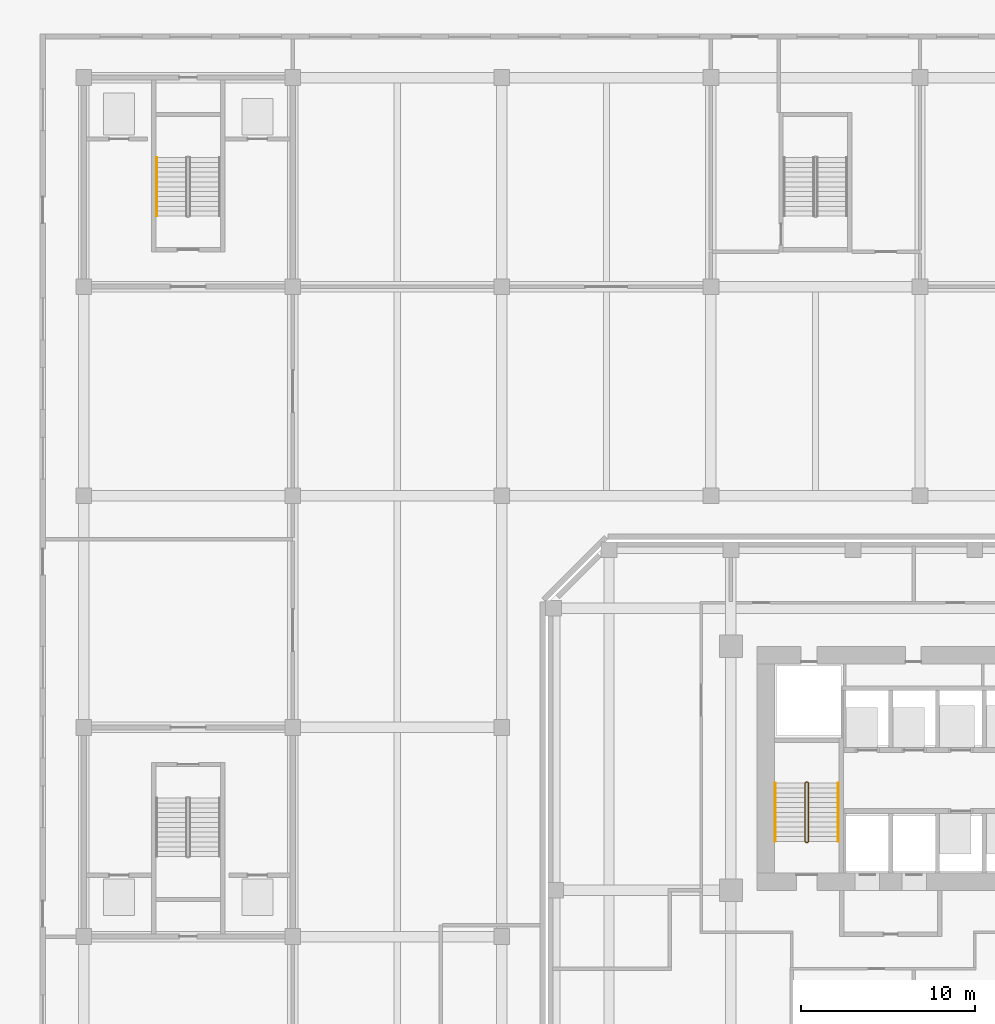
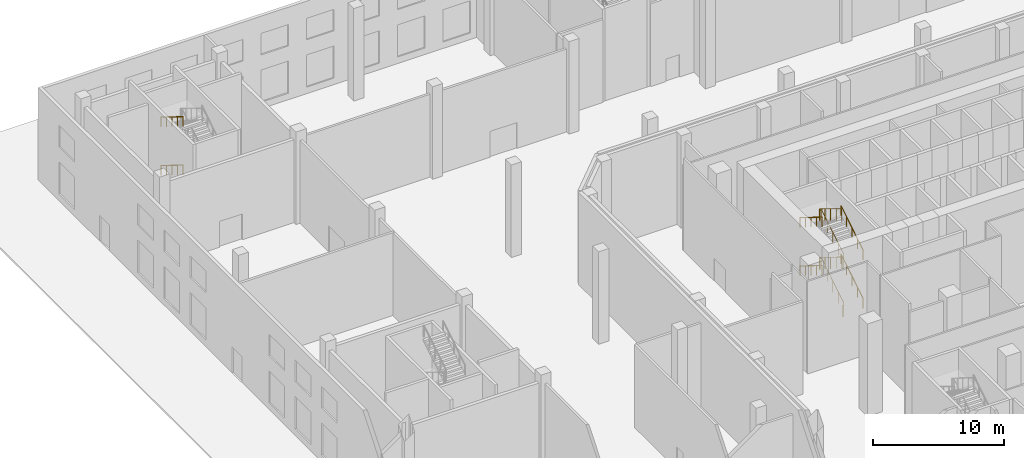
# One storey, part 38 of 43: 7 railings.
"""IFC4 building model written with IfcOpenShell, lengths in metres."""

from ifc_helpers import new_model, si_unit, direction, frame, origin, origin_2d, place, context, subcontext, project, spatial, circle, extrude, material, type_object, element, save


model = new_model("IFC4")

# Units and contexts
model_context = context("Model", 3, precision=1e-05, world=origin(), true_north=direction((0.0, 1.0)))
body_context = subcontext(model_context, "Body", "Model", "MODEL_VIEW")
ifc_project = project(units=[si_unit("LENGTHUNIT", "METRE"), si_unit("AREAUNIT", "SQUARE_METRE"), si_unit("VOLUMEUNIT", "CUBIC_METRE"), si_unit("PLANEANGLEUNIT", "RADIAN"), si_unit("MASSUNIT", "GRAM", prefix="KILO")], contexts=[model_context])

# Site, building, storey
site_placement = place(None, origin())
site = spatial("IfcSite", under=ifc_project, at=site_placement, CompositionType="ELEMENT")
building_placement = place(site_placement, origin())
building = spatial("IfcBuilding", under=site, at=building_placement, Name="Kilnfold Tower and Market Hall", CompositionType="ELEMENT")
storey_placement = place(building_placement, origin())
storey = spatial("IfcBuildingStorey", under=building, at=storey_placement, Name="L00", CompositionType="ELEMENT", Elevation=0.0)

# Railings
ifc_material_1 = material(Name="Stainless steel 316", Category="steel")
railing_type_1 = type_object("IfcRailingType", Name="CORE STAIR GUARD 1100", PredefinedType="GUARDRAIL", material=ifc_material_1)
railing_1_placement = place(storey_placement, frame((-13.199951171875, 10.75, 0.0)))
element("IfcRailing", 1, at=railing_1_placement, inside=storey, type_object=railing_type_1, Name="L00 ST1 stair guard 1", PredefinedType="GUARDRAIL", context=body_context, shape_type="SweptSolid", body=[
    extrude(circle(Radius=0.02392578125, at=origin_2d()), frame((0.0, 0.0, 1.076171875), z_axis=(1.0, 0.0, 0.0), x_axis=(0.0, 1.0, 0.0)), (0.0, 0.0, 1.0), 0.099853515625),
    extrude(circle(Radius=0.02392578125, at=origin_2d()), frame((0.099853515625, 0.0, 1.076171875), z_axis=(0.267629722418, 0.267629722418, 0.925607186314), x_axis=(-0.707106781187, 0.707106781187, 0.0)), (0.0, 0.0, 1.0), 0.18701171875),
    extrude(circle(Radius=0.02392578125, at=origin_2d()), frame((0.14990234375, 0.050048828125, 1.2490234375), z_axis=(0.0, 0.850606129759, 0.525803396734), x_axis=(-1.0, 0.0, 0.0)), (0.0, 0.0, 1.0), 3.949951171875),
    extrude(circle(Radius=0.02392578125, at=origin_2d()), frame((0.14990234375, 3.409912109375, 3.326171875), z_axis=(-0.707106781187, 0.707106781187, 0.0), x_axis=(-0.707106781187, -0.707106781187, 0.0)), (0.0, 0.0, 1.0), 0.07080078125),
    extrude(circle(Radius=0.02392578125, at=origin_2d()), frame((0.099853515625, 3.4599609375, 3.326171875), z_axis=(-1.0, 0.0, 0.0), x_axis=(0.0, -1.0, 0.0)), (0.0, 0.0, 1.0), 0.099853515625),
    extrude(circle(Radius=0.02392578125, at=origin_2d()), frame((0.0, 3.4599609375, 3.326171875), z_axis=(-0.267629722418, -0.267629722418, 0.925607186314), x_axis=(0.707106781187, -0.707106781187, 0.0)), (0.0, 0.0, 1.0), 0.18701171875),
    extrude(circle(Radius=0.02392578125, at=origin_2d()), frame((-0.050048828125, 3.409912109375, 3.4990234375), z_axis=(0.0, -0.850606129759, 0.525803396734), x_axis=(1.0, 0.0, 0.0)), (0.0, 0.0, 1.0), 3.949951171875),
    extrude(circle(Radius=0.02392578125, at=origin_2d()), frame((-0.050048828125, 0.050048828125, 5.576171875), z_axis=(0.707106781187, -0.707106781187, 0.0), x_axis=(0.707106781187, 0.707106781187, 0.0)), (0.0, 0.0, 1.0), 0.07080078125),
    extrude(circle(Radius=0.02392578125, at=origin_2d()), frame((0.0, 0.0, 5.576171875), z_axis=(1.0, 0.0, 0.0), x_axis=(0.0, 1.0, 0.0)), (0.0, 0.0, 1.0), 0.099853515625),
    extrude(circle(Radius=0.02392578125, at=origin_2d()), frame((0.099853515625, 0.0, 5.576171875), z_axis=(0.267629722418, 0.267629722418, 0.925607186314), x_axis=(-0.707106781187, 0.707106781187, 0.0)), (0.0, 0.0, 1.0), 0.18701171875),
    extrude(circle(Radius=0.02392578125, at=origin_2d()), frame((0.14990234375, 0.050048828125, 5.7490234375), z_axis=(0.0, 0.850606129759, 0.525803396734), x_axis=(-1.0, 0.0, 0.0)), (0.0, 0.0, 1.0), 3.949951171875),
    extrude(circle(Radius=0.02392578125, at=origin_2d()), frame((0.14990234375, 3.409912109375, 7.826171875), z_axis=(-0.707106781187, 0.707106781187, 0.0), x_axis=(-0.707106781187, -0.707106781187, 0.0)), (0.0, 0.0, 1.0), 0.07080078125),
    extrude(circle(Radius=0.02392578125, at=origin_2d()), frame((0.099853515625, 3.4599609375, 7.826171875), z_axis=(-1.0, 0.0, 0.0), x_axis=(0.0, -1.0, 0.0)), (0.0, 0.0, 1.0), 0.099853515625),
    extrude(circle(Radius=0.02392578125, at=origin_2d()), frame((0.0, 3.4599609375, 7.826171875), z_axis=(-0.267629722418, -0.267629722418, 0.925607186314), x_axis=(0.707106781187, -0.707106781187, 0.0)), (0.0, 0.0, 1.0), 0.18701171875),
    extrude(circle(Radius=0.02392578125, at=origin_2d()), frame((-0.050048828125, 3.409912109375, 7.9990234375), z_axis=(0.0, -0.850606129759, 0.525803396734), x_axis=(1.0, 0.0, 0.0)), (0.0, 0.0, 1.0), 3.949951171875),
    extrude(circle(Radius=0.02099609375, at=origin_2d()), origin(), (0.0, 0.0, 1.0), 1.052001953125),
    extrude(circle(Radius=0.02099609375, at=origin_2d()), frame((0.099853515625, 0.0, 0.0)), (0.0, 0.0, 1.0), 1.052001953125),
    extrude(circle(Radius=0.02099609375, at=origin_2d()), frame((0.14990234375, 0.050048828125, 0.173095703125)), (0.0, 0.0, 1.0), 1.052001953125),
    extrude(circle(Radius=0.02099609375, at=origin_2d()), frame((0.14990234375, 0.89013671875, 0.6923828125)), (0.0, 0.0, 1.0), 1.052001953125),
    extrude(circle(Radius=0.02099609375, at=origin_2d()), frame((0.14990234375, 1.72998046875, 1.21142578125)), (0.0, 0.0, 1.0), 1.052001953125),
    extrude(circle(Radius=0.02099609375, at=origin_2d()), frame((0.14990234375, 2.56982421875, 1.730712890625)), (0.0, 0.0, 1.0), 1.052001953125),
    extrude(circle(Radius=0.02099609375, at=origin_2d()), frame((0.14990234375, 3.409912109375, 2.25)), (0.0, 0.0, 1.0), 1.052001953125),
    extrude(circle(Radius=0.02099609375, at=origin_2d()), frame((0.099853515625, 3.4599609375, 2.25)), (0.0, 0.0, 1.0), 1.052001953125),
    extrude(circle(Radius=0.02099609375, at=origin_2d()), frame((0.0, 3.4599609375, 2.25)), (0.0, 0.0, 1.0), 1.052001953125),
    extrude(circle(Radius=0.02099609375, at=origin_2d()), frame((-0.050048828125, 3.409912109375, 2.423095703125)), (0.0, 0.0, 1.0), 1.052001953125),
    extrude(circle(Radius=0.02099609375, at=origin_2d()), frame((-0.050048828125, 2.56982421875, 2.9423828125)), (0.0, 0.0, 1.0), 1.052001953125),
    extrude(circle(Radius=0.02099609375, at=origin_2d()), frame((-0.050048828125, 1.72998046875, 3.46142578125)), (0.0, 0.0, 1.0), 1.052001953125),
    extrude(circle(Radius=0.02099609375, at=origin_2d()), frame((-0.050048828125, 0.89013671875, 3.980712890625)), (0.0, 0.0, 1.0), 1.052001953125),
    extrude(circle(Radius=0.02099609375, at=origin_2d()), frame((-0.050048828125, 0.050048828125, 4.5)), (0.0, 0.0, 1.0), 1.052001953125),
    extrude(circle(Radius=0.02099609375, at=origin_2d()), frame((0.0, 0.0, 4.5)), (0.0, 0.0, 1.0), 1.052001953125),
    extrude(circle(Radius=0.02099609375, at=origin_2d()), frame((0.099853515625, 0.0, 4.5)), (0.0, 0.0, 1.0), 1.052001953125),
    extrude(circle(Radius=0.02099609375, at=origin_2d()), frame((0.14990234375, 0.050048828125, 4.673095703125)), (0.0, 0.0, 1.0), 1.052001953125),
    extrude(circle(Radius=0.02099609375, at=origin_2d()), frame((0.14990234375, 0.89013671875, 5.1923828125)), (0.0, 0.0, 1.0), 1.052001953125),
    extrude(circle(Radius=0.02099609375, at=origin_2d()), frame((0.14990234375, 1.72998046875, 5.71142578125)), (0.0, 0.0, 1.0), 1.052001953125),
    extrude(circle(Radius=0.02099609375, at=origin_2d()), frame((0.14990234375, 2.56982421875, 6.230712890625)), (0.0, 0.0, 1.0), 1.052001953125),
    extrude(circle(Radius=0.02099609375, at=origin_2d()), frame((0.14990234375, 3.409912109375, 6.75)), (0.0, 0.0, 1.0), 1.052001953125),
    extrude(circle(Radius=0.02099609375, at=origin_2d()), frame((0.099853515625, 3.4599609375, 6.75)), (0.0, 0.0, 1.0), 1.052001953125),
    extrude(circle(Radius=0.02099609375, at=origin_2d()), frame((0.0, 3.4599609375, 6.75)), (0.0, 0.0, 1.0), 1.052001953125),
    extrude(circle(Radius=0.02099609375, at=origin_2d()), frame((-0.050048828125, 3.409912109375, 6.923095703125)), (0.0, 0.0, 1.0), 1.052001953125),
    extrude(circle(Radius=0.02099609375, at=origin_2d()), frame((-0.050048828125, 2.56982421875, 7.4423828125)), (0.0, 0.0, 1.0), 1.052001953125),
    extrude(circle(Radius=0.02099609375, at=origin_2d()), frame((-0.050048828125, 1.72998046875, 7.96142578125)), (0.0, 0.0, 1.0), 1.052001953125),
    extrude(circle(Radius=0.02099609375, at=origin_2d()), frame((-0.050048828125, 0.89013671875, 8.480712890625)), (0.0, 0.0, 1.0), 1.052001953125),
    extrude(circle(Radius=0.02099609375, at=origin_2d()), frame((-0.050048828125, 0.050048828125, 9.0)), (0.0, 0.0, 1.0), 1.052001953125),
])
ifc_material_2 = material(Name="Stainless steel 316", Category="steel")
railing_type_2 = type_object("IfcRailingType", Name="CORE STAIR HANDRAIL 900", PredefinedType="HANDRAIL", material=ifc_material_2)
railing_2_placement = place(storey_placement, frame((-11.35009765625, 10.800048828125, 0.173095703125)))
element("IfcRailing", 2, at=railing_2_placement, inside=storey, type_object=railing_type_2, Name="L00 ST1 stair handrail 1", PredefinedType="HANDRAIL", context=body_context, shape_type="SweptSolid", body=[
    extrude(circle(Radius=0.02392578125, at=origin_2d()), frame((0.0, 0.0, 0.8759765625), z_axis=(0.0, 0.850606129759, 0.525803396734), x_axis=(-1.0, 0.0, 0.0)), (0.0, 0.0, 1.0), 3.949951171875),
    extrude(circle(Radius=0.02099609375, at=origin_2d()), origin(), (0.0, 0.0, 1.0), 0.851806640625),
    extrude(circle(Radius=0.02099609375, at=origin_2d()), frame((0.0, 0.83984375, 0.519287109375)), (0.0, 0.0, 1.0), 0.851806640625),
    extrude(circle(Radius=0.02099609375, at=origin_2d()), frame((0.0, 1.679931640625, 1.03857421875)), (0.0, 0.0, 1.0), 0.851806640625),
    extrude(circle(Radius=0.02099609375, at=origin_2d()), frame((0.0, 2.52001953125, 1.5576171875)), (0.0, 0.0, 1.0), 0.851806640625),
    extrude(circle(Radius=0.02099609375, at=origin_2d()), frame((0.0, 3.35986328125, 2.076904296875)), (0.0, 0.0, 1.0), 0.851806640625),
])
railing_3_placement = place(storey_placement, frame((-14.949951171875, 14.159912109375, 2.423095703125)))
element("IfcRailing", 3, at=railing_3_placement, inside=storey, type_object=railing_type_2, Name="L00 ST1 stair handrail 2", PredefinedType="HANDRAIL", context=body_context, shape_type="SweptSolid", body=[
    extrude(circle(Radius=0.02392578125, at=origin_2d()), frame((0.0, 0.0, 0.8759765625), z_axis=(0.0, -0.850606129759, 0.525803396734), x_axis=(1.0, 0.0, 0.0)), (0.0, 0.0, 1.0), 3.949951171875),
    extrude(circle(Radius=0.02099609375, at=origin_2d()), origin(), (0.0, 0.0, 1.0), 0.851806640625),
    extrude(circle(Radius=0.02099609375, at=origin_2d()), frame((0.0, -0.83984375, 0.519287109375)), (0.0, 0.0, 1.0), 0.851806640625),
    extrude(circle(Radius=0.02099609375, at=origin_2d()), frame((0.0, -1.679931640625, 1.03857421875)), (0.0, 0.0, 1.0), 0.851806640625),
    extrude(circle(Radius=0.02099609375, at=origin_2d()), frame((0.0, -2.52001953125, 1.5576171875)), (0.0, 0.0, 1.0), 0.851806640625),
    extrude(circle(Radius=0.02099609375, at=origin_2d()), frame((0.0, -3.35986328125, 2.076904296875)), (0.0, 0.0, 1.0), 0.851806640625),
])
railing_4_placement = place(storey_placement, frame((-11.35009765625, 10.800048828125, 4.673095703125)))
element("IfcRailing", 4, at=railing_4_placement, inside=storey, type_object=railing_type_2, Name="L00 ST1 stair handrail 3", PredefinedType="HANDRAIL", context=body_context, shape_type="SweptSolid", body=[
    extrude(circle(Radius=0.02392578125, at=origin_2d()), frame((0.0, 0.0, 0.8759765625), z_axis=(0.0, 0.850606129759, 0.525803396734), x_axis=(-1.0, 0.0, 0.0)), (0.0, 0.0, 1.0), 3.949951171875),
    extrude(circle(Radius=0.02099609375, at=origin_2d()), origin(), (0.0, 0.0, 1.0), 0.851806640625),
    extrude(circle(Radius=0.02099609375, at=origin_2d()), frame((0.0, 0.83984375, 0.519287109375)), (0.0, 0.0, 1.0), 0.851806640625),
    extrude(circle(Radius=0.02099609375, at=origin_2d()), frame((0.0, 1.679931640625, 1.03857421875)), (0.0, 0.0, 1.0), 0.851806640625),
    extrude(circle(Radius=0.02099609375, at=origin_2d()), frame((0.0, 2.52001953125, 1.5576171875)), (0.0, 0.0, 1.0), 0.851806640625),
    extrude(circle(Radius=0.02099609375, at=origin_2d()), frame((0.0, 3.35986328125, 2.076904296875)), (0.0, 0.0, 1.0), 0.851806640625),
])
railing_5_placement = place(storey_placement, frame((-14.949951171875, 14.159912109375, 6.923095703125)))
element("IfcRailing", 5, at=railing_5_placement, inside=storey, type_object=railing_type_2, Name="L00 ST1 stair handrail 4", PredefinedType="HANDRAIL", context=body_context, shape_type="SweptSolid", body=[
    extrude(circle(Radius=0.02392578125, at=origin_2d()), frame((0.0, 0.0, 0.8759765625), z_axis=(0.0, -0.850606129759, 0.525803396734), x_axis=(1.0, 0.0, 0.0)), (0.0, 0.0, 1.0), 3.949951171875),
    extrude(circle(Radius=0.02099609375, at=origin_2d()), origin(), (0.0, 0.0, 1.0), 0.851806640625),
    extrude(circle(Radius=0.02099609375, at=origin_2d()), frame((0.0, -0.83984375, 0.519287109375)), (0.0, 0.0, 1.0), 0.851806640625),
    extrude(circle(Radius=0.02099609375, at=origin_2d()), frame((0.0, -1.679931640625, 1.03857421875)), (0.0, 0.0, 1.0), 0.851806640625),
    extrude(circle(Radius=0.02099609375, at=origin_2d()), frame((0.0, -2.52001953125, 1.5576171875)), (0.0, 0.0, 1.0), 0.851806640625),
    extrude(circle(Radius=0.02099609375, at=origin_2d()), frame((0.0, -3.35986328125, 2.076904296875)), (0.0, 0.0, 1.0), 0.851806640625),
])
ifc_material_3 = material(Name="Steel S355", Category="steel")
railing_type_3 = type_object("IfcRailingType", Name="HALL STAIR HANDRAIL", PredefinedType="HANDRAIL", material=ifc_material_3)
for number, where, name in (
    (6, (-50.449951171875, 50.06005859375, 2.423095703125), "L00 MS3 stair handrail 2"),
    (7, (-50.449951171875, 50.06005859375, 6.923095703125), "L00 MS3 stair handrail 4"),
):
    element("IfcRailing", number, at=place(storey_placement, frame(where)), inside=storey, type_object=railing_type_3, Name=name, PredefinedType="HANDRAIL", context=body_context, shape_type="SweptSolid", body=[
        extrude(circle(Radius=0.02392578125, at=origin_2d()), frame((0.0, 0.0, 0.8759765625), z_axis=(0.0, -0.850623216509, 0.525775754039), x_axis=(1.0, 0.0, 0.0)), (0.0, 0.0, 1.0), 3.9501953125),
        extrude(circle(Radius=0.02099609375, at=origin_2d()), origin(), (0.0, 0.0, 1.0), 0.851806640625),
        extrude(circle(Radius=0.02099609375, at=origin_2d()), frame((0.0, -0.840087890625, 0.519287109375)), (0.0, 0.0, 1.0), 0.851806640625),
        extrude(circle(Radius=0.02099609375, at=origin_2d()), frame((0.0, -1.68017578125, 1.03857421875)), (0.0, 0.0, 1.0), 0.851806640625),
        extrude(circle(Radius=0.02099609375, at=origin_2d()), frame((0.0, -2.52001953125, 1.5576171875)), (0.0, 0.0, 1.0), 0.851806640625),
        extrude(circle(Radius=0.02099609375, at=origin_2d()), frame((0.0, -3.360107421875, 2.076904296875)), (0.0, 0.0, 1.0), 0.851806640625),
    ])

save(model, "model.ifc")
